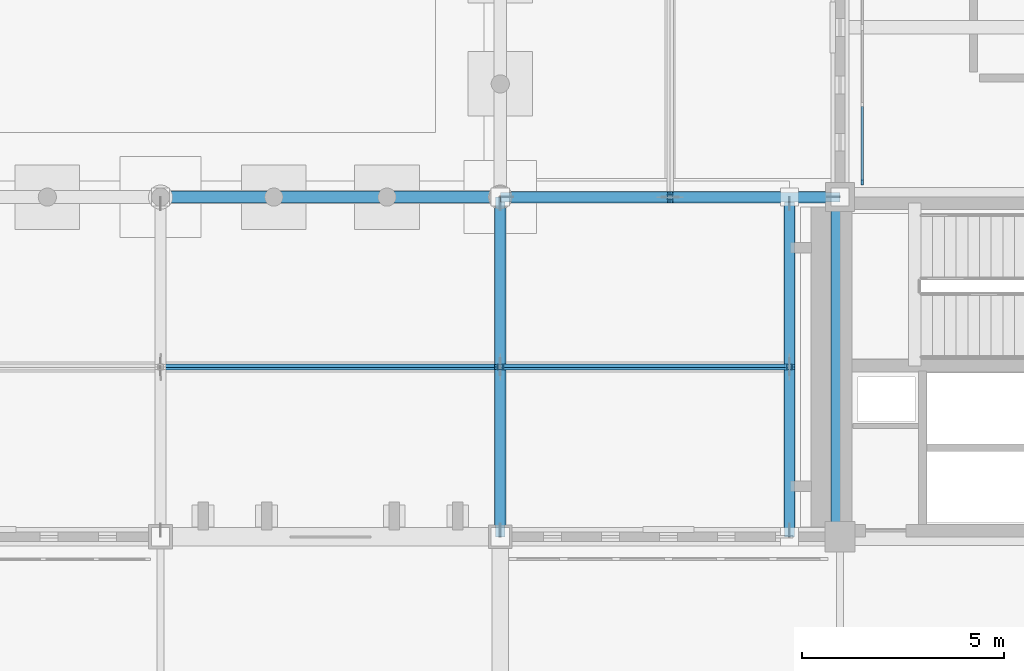
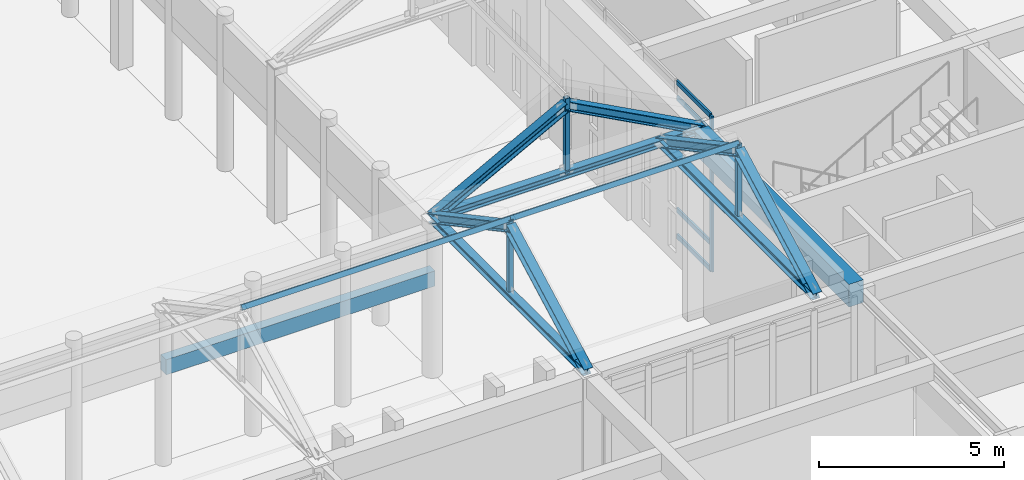
# One storey, part 45 of 143: 19 members, 2 beams, 1 element without a shape of its own.
"""IFC4 building model written with IfcOpenShell, lengths in metres."""

from ifc_helpers import new_model, si_unit, direction, frame, origin, origin_2d, place, context, subcontext, project, spatial, rectangle, hollow_rectangle, i_section, extrude, material, layer, layer_set, material_profile, profile_set, type_object, element, aggregate, save


model = new_model("IFC4")

# Units and contexts
model_context = context("Model", 3, precision=1e-05, world=origin(), true_north=direction((0.0, 1.0)))
body_context = subcontext(model_context, "Body", "Model", "MODEL_VIEW")
ifc_project = project(units=[si_unit("LENGTHUNIT", "METRE"), si_unit("AREAUNIT", "SQUARE_METRE"), si_unit("VOLUMEUNIT", "CUBIC_METRE"), si_unit("PLANEANGLEUNIT", "RADIAN"), si_unit("MASSUNIT", "GRAM", prefix="KILO")], contexts=[model_context])

# Site, building, storey
site_placement = place(None, origin())
site = spatial("IfcSite", under=ifc_project, at=site_placement, CompositionType="ELEMENT")
building_placement = place(site_placement, origin())
building = spatial("IfcBuilding", under=site, at=building_placement, Name="Kveldsbrygga Polytechnic", CompositionType="ELEMENT")
storey_placement = place(building_placement, origin())
storey = spatial("IfcBuildingStorey", under=building, at=storey_placement, Name="L00", CompositionType="ELEMENT", Elevation=0.0)

# Beam
ifc_material_1 = material(Name="Concrete C35/45", Category="concrete")
ifc_material_profile_1 = material_profile(ifc_material_1, rectangle(XDim=0.449951171875, YDim=0.75, at=origin_2d()), Name="RC 450x750")
ifc_profile_set_1 = profile_set([ifc_material_profile_1], Name="Concrete C35/45")
beam_type_1 = type_object("IfcBeamType", Name="BM-RC-450x750", PredefinedType="BEAM", material=ifc_profile_set_1)
beam_1_placement = place(storey_placement, frame((126.0, 25.199951171875, 4.764892578125), z_axis=(0.0, 1.0, 0.0), x_axis=(-1.0, 0.0, 0.0)))
element("IfcBeam", 1, at=beam_1_placement, inside=storey, type_object=beam_type_1, Name="Primary Beam BMY-L00-15-03to04", PredefinedType="BEAM", context=body_context, shape_type="SweptSolid", body=[
    extrude(rectangle(XDim=0.449951171875, YDim=0.75, at=origin_2d()), origin(), (0.0, 0.0, 1.0), 8.400146484375),
])

# Curtain wall, members
ifc_material_2 = material(Name="Anodised aluminium AW-6060", Category="aluminium")
ifc_layer = layer(ifc_material_2, 0.199951171875)
ifc_layer_set = layer_set([ifc_layer], Name="Anodised aluminium AW-6060")
curtain_wall_type = type_object("IfcCurtainWallType", Name="CW-LANC-E", PredefinedType="USERDEFINED", material=ifc_layer_set)
curtain_wall_placement = place(storey_placement, origin())
curtain_wall = element("IfcCurtainWall", 2, at=curtain_wall_placement, inside=storey, type_object=curtain_wall_type, Name="Curtain Wall CW-L00-Y-15-04", ObjectType="UNITISED CURTAIN WALL", PredefinedType="USERDEFINED")
ifc_material_profile_2 = material_profile(ifc_material_2, rectangle(XDim=0.06005859375, YDim=0.139892578125, at=origin_2d()), Name="ALU 60x140")
ifc_profile_set_2 = profile_set([ifc_material_profile_2], Name="Anodised aluminium AW-6060")
member_type_1 = type_object("IfcMemberType", Name="CW-MUL-140", PredefinedType="MULLION", material=ifc_profile_set_2)
member_1_placement = place(storey_placement, frame((126.550048828125, 33.97509765625, 0.0), z_axis=(0.0, 0.0, 1.0), x_axis=(-1.0, 0.0, 0.0)))
member_1 = element("IfcMember", 3, at=member_1_placement, type_object=member_type_1, Name="CW-05 mullion 1", PredefinedType="MULLION", context=body_context, shape_type="SweptSolid", body=[
    extrude(rectangle(XDim=0.06005859375, YDim=0.139892578125, at=origin_2d()), origin(), (0.0, 0.0, 1.0), 5.139892578125),
])
ifc_material_profile_3 = material_profile(ifc_material_2, rectangle(XDim=0.06005859375, YDim=0.14990234375, at=origin_2d()), Name="ALU 60x150")
ifc_profile_set_3 = profile_set([ifc_material_profile_3], Name="Anodised aluminium AW-6060")
member_type_2 = type_object("IfcMemberType", Name="CW-TRN-150", PredefinedType="USERDEFINED", material=ifc_profile_set_3)
member_2_placement = place(storey_placement, frame((126.550048828125, 34.0048828125, 0.030029296875), z_axis=(0.0, 1.0, 0.0), x_axis=(-1.0, 0.0, 0.0)))
member_2 = element("IfcMember", 4, at=member_2_placement, type_object=member_type_2, Name="CW-05 transom 1.1", ObjectType="TRANSOM", PredefinedType="USERDEFINED", context=body_context, shape_type="SweptSolid", body=[
    extrude(rectangle(XDim=0.06005859375, YDim=0.14990234375, at=origin_2d()), origin(), (0.0, 0.0, 1.0), 1.833984375),
])
member_3_placement = place(storey_placement, frame((126.550048828125, 34.0048828125, 0.89990234375), z_axis=(0.0, 1.0, 0.0), x_axis=(-1.0, 0.0, 0.0)))
member_3 = element("IfcMember", 5, at=member_3_placement, type_object=member_type_2, Name="CW-05 transom 1.2", ObjectType="TRANSOM", PredefinedType="USERDEFINED", context=body_context, shape_type="SweptSolid", body=[
    extrude(rectangle(XDim=0.06005859375, YDim=0.14990234375, at=origin_2d()), origin(), (0.0, 0.0, 1.0), 1.833984375),
])
member_4_placement = place(storey_placement, frame((126.550048828125, 34.0048828125, 4.590087890625), z_axis=(0.0, 1.0, 0.0), x_axis=(-1.0, 0.0, 0.0)))
member_4 = element("IfcMember", 6, at=member_4_placement, type_object=member_type_2, Name="CW-05 transom 1.3", ObjectType="TRANSOM", PredefinedType="USERDEFINED", context=body_context, shape_type="SweptSolid", body=[
    extrude(rectangle(XDim=0.06005859375, YDim=0.14990234375, at=origin_2d()), origin(), (0.0, 0.0, 1.0), 1.833984375),
])
member_5_placement = place(storey_placement, frame((126.550048828125, 34.0048828125, 5.110107421875), z_axis=(0.0, 1.0, 0.0), x_axis=(-1.0, 0.0, 0.0)))
member_5 = element("IfcMember", 7, at=member_5_placement, type_object=member_type_2, Name="CW-05 transom 1.4", ObjectType="TRANSOM", PredefinedType="USERDEFINED", context=body_context, shape_type="SweptSolid", body=[
    extrude(rectangle(XDim=0.06005859375, YDim=0.14990234375, at=origin_2d()), origin(), (0.0, 0.0, 1.0), 1.833984375),
])
aggregate(curtain_wall, [member_1, member_2, member_3, member_4, member_5])

# Beam
ifc_material_profile_4 = material_profile(ifc_material_1, rectangle(XDim=0.300048828125, YDim=0.5, at=origin_2d()), Name="RC 300x500")
ifc_profile_set_4 = profile_set([ifc_material_profile_4], Name="Concrete C35/45")
beam_type_2 = type_object("IfcBeamType", Name="LNT-RC-300x500", PredefinedType="LINTEL", material=ifc_profile_set_4)
beam_2_placement = place(storey_placement, frame((109.199951171875, 33.60009765625, 3.199951171875), z_axis=(1.0, 0.0, 0.0), x_axis=(0.0, 1.0, 0.0)))
element("IfcBeam", 8, at=beam_2_placement, inside=storey, type_object=beam_type_2, Name="Cloister Arcade Arch Lintel Beam BM-ARC-HDR-11", PredefinedType="LINTEL", context=body_context, shape_type="SweptSolid", body=[
    extrude(rectangle(XDim=0.300048828125, YDim=0.5, at=origin_2d()), origin(), (0.0, 0.0, 1.0), 8.400146484375),
])

# Members
ifc_material_3 = material(Name="Steel S355", Category="steel")
ifc_material_profile_5 = material_profile(ifc_material_3, hollow_rectangle(XDim=0.10009765625, YDim=0.14990234375, WallThickness=0.008056640625, at=origin_2d()), Name="RHS 150x100x8.0")
ifc_profile_set_5 = profile_set([ifc_material_profile_5], Name="Steel S355")
member_type_3 = type_object("IfcMemberType", Name="PRL-RHS150", PredefinedType="PURLIN", material=ifc_profile_set_5)
member_6_placement = place(storey_placement, frame((109.199951171875, 29.39990234375, 7.6337890625), z_axis=(1.0, 0.0, 0.0), x_axis=(0.0, 0.881479888517, -0.472221564671)))
element("IfcMember", 9, at=member_6_placement, inside=storey, type_object=member_type_3, Name="Roof Purlin ARC-ES-PRL-5-1", PredefinedType="PURLIN", context=body_context, shape_type="SweptSolid", body=[
    extrude(hollow_rectangle(XDim=0.10009765625, YDim=0.14990234375, WallThickness=0.008056640625, at=origin_2d()), origin(), (0.0, 0.0, 1.0), 8.400146484375),
])
member_7_placement = place(storey_placement, frame((117.60009765625, 29.39990234375, 7.6337890625), z_axis=(1.0, 0.0, 0.0), x_axis=(0.0, 0.881479888517, -0.472221564671)))
element("IfcMember", 10, at=member_7_placement, inside=storey, type_object=member_type_3, Name="Roof Purlin ARC-ES-PRL-6-1", PredefinedType="PURLIN", context=body_context, shape_type="SweptSolid", body=[
    extrude(hollow_rectangle(XDim=0.10009765625, YDim=0.14990234375, WallThickness=0.008056640625, at=origin_2d()), origin(), (0.0, 0.0, 1.0), 7.14990234375),
])
ifc_material_profile_6 = material_profile(ifc_material_3, i_section(OverallWidth=0.239990234375, OverallDepth=0.239990234375, WebThickness=0.010009765625, FlangeThickness=0.01708984375, FilletRadius=0.02099609375, at=origin_2d()), Name="HEB 240")
ifc_profile_set_6 = profile_set([ifc_material_profile_6], Name="Steel S355")
member_type_4 = type_object("IfcMemberType", Name="TR-BOT-HEB240", PredefinedType="CHORD", material=ifc_profile_set_6)
for number, where, z_axis, x_axis, name in (
    (11, (117.60009765625, 25.199951171875, 5.139892578125), (0.0, 1.0, 0.0), (-1.0, 0.0, 0.0), "Truss Bottom Chord ARC-ES-T06-BC-1"),
    (12, (124.75, 25.199951171875, 5.139892578125), (0.0, 1.0, 0.0), (-1.0, 0.0, 0.0), "Truss Bottom Chord ARC-ES-T07-BC-1"),
):
    element("IfcMember", number, at=place(storey_placement, frame(where, z_axis=z_axis, x_axis=x_axis)), inside=storey, type_object=member_type_4, Name=name, PredefinedType="CHORD", context=body_context, shape_type="SweptSolid", body=[
        extrude(i_section(OverallWidth=0.239990234375, OverallDepth=0.239990234375, WebThickness=0.010009765625, FlangeThickness=0.01708984375, FilletRadius=0.02099609375, at=origin_2d()), origin(), (0.0, 0.0, 1.0), 8.400146484375),
    ])
member_8_placement = place(storey_placement, frame((117.60009765625, 33.60009765625, 5.139892578125), z_axis=(1.0, 0.0, 0.0), x_axis=(0.0, 1.0, 0.0)))
element("IfcMember", 13, at=member_8_placement, inside=storey, type_object=member_type_4, Name="Truss Bottom Chord ARC-EE-T01-BC-1", PredefinedType="CHORD", context=body_context, shape_type="SweptSolid", body=[
    extrude(i_section(OverallWidth=0.239990234375, OverallDepth=0.239990234375, WebThickness=0.010009765625, FlangeThickness=0.01708984375, FilletRadius=0.02099609375, at=origin_2d()), origin(), (0.0, 0.0, 1.0), 8.39990234375),
])
ifc_material_profile_7 = material_profile(ifc_material_3, hollow_rectangle(XDim=0.139892578125, YDim=0.139892578125, WallThickness=0.008056640625, at=origin_2d()), Name="SHS 140x140x8.0")
ifc_profile_set_7 = profile_set([ifc_material_profile_7], Name="Steel S355")
member_type_5 = type_object("IfcMemberType", Name="TR-POST-SHS140", PredefinedType="STRUT", material=ifc_profile_set_7)
for number, where, z_axis, x_axis, name in (
    (14, (117.60009765625, 29.39990234375, 5.139892578125), (0.0, 0.0, 1.0), (1.0, 0.0, 0.0), "Truss Vertical ARC-ES-T06-VT-1"),
    (15, (124.75, 29.39990234375, 5.139892578125), (0.0, 0.0, 1.0), (1.0, 0.0, 0.0), "Truss Vertical ARC-ES-T07-VT-1"),
    (16, (121.800048828125, 33.60009765625, 5.139892578125), (0.0, 0.0, 1.0), (1.0, 0.0, 0.0), "Truss Vertical ARC-EE-T01-VT-1"),
):
    element("IfcMember", number, at=place(storey_placement, frame(where, z_axis=z_axis, x_axis=x_axis)), inside=storey, type_object=member_type_5, Name=name, PredefinedType="STRUT", context=body_context, shape_type="SweptSolid", body=[
        extrude(hollow_rectangle(XDim=0.139892578125, YDim=0.139892578125, WallThickness=0.008056640625, at=origin_2d()), origin(), (0.0, 0.0, 1.0), 2.493896484375),
    ])
ifc_material_profile_8 = material_profile(ifc_material_3, i_section(OverallWidth=0.280029296875, OverallDepth=0.280029296875, WebThickness=0.010498046875, FlangeThickness=0.01806640625, FilletRadius=0.02392578125, at=origin_2d()), Name="HEB 280")
ifc_profile_set_8 = profile_set([ifc_material_profile_8], Name="Steel S355")
member_type_6 = type_object("IfcMemberType", Name="TR-TOP-HEB280", PredefinedType="CHORD", material=ifc_profile_set_8)
member_9_placement = place(storey_placement, frame((117.60009765625, 25.199951171875, 5.139892578125), z_axis=(0.0, 0.881477684796, 0.472225678258), x_axis=(-1.0, 0.0, 0.0)))
element("IfcMember", 17, at=member_9_placement, inside=storey, type_object=member_type_6, Name="Truss Top Chord ARC-ES-T06-TC-1", PredefinedType="CHORD", context=body_context, shape_type="SweptSolid", body=[
    extrude(i_section(OverallWidth=0.280029296875, OverallDepth=0.280029296875, WebThickness=0.010498046875, FlangeThickness=0.01806640625, FilletRadius=0.02392578125, at=origin_2d()), origin(), (0.0, 0.0, 1.0), 4.7646484375),
])
member_10_placement = place(storey_placement, frame((117.60009765625, 29.39990234375, 7.389892578125), z_axis=(0.0, 0.881489110341, -0.472204350203), x_axis=(-1.0, 0.0, 0.0)))
element("IfcMember", 18, at=member_10_placement, inside=storey, type_object=member_type_6, Name="Truss Top Chord ARC-ES-T06-TC-2", PredefinedType="CHORD", context=body_context, shape_type="SweptSolid", body=[
    extrude(i_section(OverallWidth=0.280029296875, OverallDepth=0.280029296875, WebThickness=0.010498046875, FlangeThickness=0.01806640625, FilletRadius=0.02392578125, at=origin_2d()), origin(), (0.0, 0.0, 1.0), 4.764892578125),
])
member_11_placement = place(storey_placement, frame((124.75, 25.199951171875, 5.139892578125), z_axis=(0.0, 0.881477684796, 0.472225678258), x_axis=(-1.0, 0.0, 0.0)))
element("IfcMember", 19, at=member_11_placement, inside=storey, type_object=member_type_6, Name="Truss Top Chord ARC-ES-T07-TC-1", PredefinedType="CHORD", context=body_context, shape_type="SweptSolid", body=[
    extrude(i_section(OverallWidth=0.280029296875, OverallDepth=0.280029296875, WebThickness=0.010498046875, FlangeThickness=0.01806640625, FilletRadius=0.02392578125, at=origin_2d()), origin(), (0.0, 0.0, 1.0), 4.7646484375),
])
member_12_placement = place(storey_placement, frame((124.75, 29.39990234375, 7.389892578125), z_axis=(0.0, 0.881489110341, -0.472204350203), x_axis=(-1.0, 0.0, 0.0)))
element("IfcMember", 20, at=member_12_placement, inside=storey, type_object=member_type_6, Name="Truss Top Chord ARC-ES-T07-TC-2", PredefinedType="CHORD", context=body_context, shape_type="SweptSolid", body=[
    extrude(i_section(OverallWidth=0.280029296875, OverallDepth=0.280029296875, WebThickness=0.010498046875, FlangeThickness=0.01806640625, FilletRadius=0.02392578125, at=origin_2d()), origin(), (0.0, 0.0, 1.0), 4.764892578125),
])
for number, where, z_axis, x_axis, name in (
    (21, (117.60009765625, 33.60009765625, 5.139892578125), (0.881477684796, 0.0, 0.472225678258), (0.0, 1.0, 0.0), "Truss Top Chord ARC-EE-T01-TC-1"),
    (22, (121.800048828125, 33.60009765625, 7.389892578125), (0.881477684796, 0.0, -0.472225678258), (0.0, 1.0, 0.0), "Truss Top Chord ARC-EE-T01-TC-2"),
):
    element("IfcMember", number, at=place(storey_placement, frame(where, z_axis=z_axis, x_axis=x_axis)), inside=storey, type_object=member_type_6, Name=name, PredefinedType="CHORD", context=body_context, shape_type="SweptSolid", body=[
        extrude(i_section(OverallWidth=0.280029296875, OverallDepth=0.280029296875, WebThickness=0.010498046875, FlangeThickness=0.01806640625, FilletRadius=0.02392578125, at=origin_2d()), origin(), (0.0, 0.0, 1.0), 4.7646484375),
    ])

save(model, "model.ifc")
